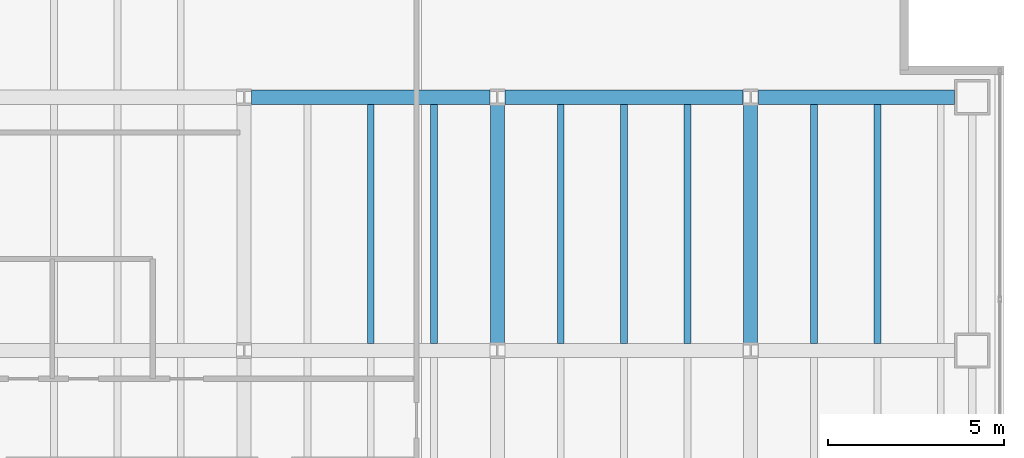
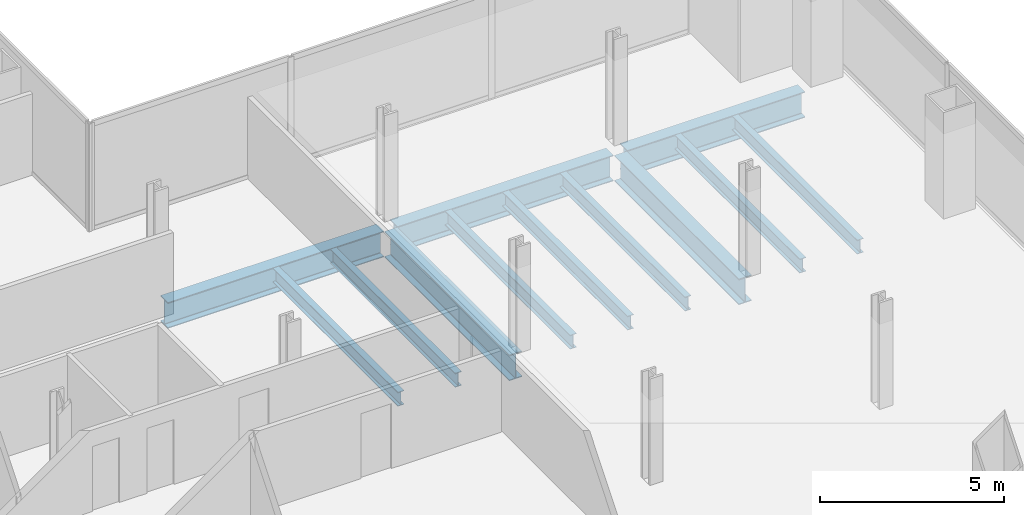
# One storey, part 11 of 25: 12 beams.
"""IFC4 building model written with IfcOpenShell, lengths in metres."""

from ifc_helpers import new_model, si_unit, direction, frame, origin, origin_2d, place, context, subcontext, project, spatial, i_section, extrude, material, material_profile, profile_set, type_object, element, save


model = new_model("IFC4")

# Units and contexts
model_context = context("Model", 3, precision=1e-05, world=origin(), true_north=direction((0.0, 1.0)))
body_context = subcontext(model_context, "Body", "Model", "MODEL_VIEW")
ifc_project = project(units=[si_unit("LENGTHUNIT", "METRE"), si_unit("AREAUNIT", "SQUARE_METRE"), si_unit("VOLUMEUNIT", "CUBIC_METRE"), si_unit("PLANEANGLEUNIT", "RADIAN"), si_unit("MASSUNIT", "GRAM", prefix="KILO")], contexts=[model_context])

# Site, building, storey
site_placement = place(None, origin())
site = spatial("IfcSite", under=ifc_project, at=site_placement, CompositionType="ELEMENT")
building_placement = place(site_placement, origin())
building = spatial("IfcBuilding", under=site, at=building_placement, Name="Cobrela Telecom Tower", CompositionType="ELEMENT")
storey_placement = place(building_placement, frame((0.0, 0.0, 61.949951171875)))
storey = spatial("IfcBuildingStorey", under=building, at=storey_placement, Name="L15", CompositionType="ELEMENT", Elevation=61.949951171875)

# Beams
ifc_material = material(Name="Steel ASTM A992 Grade 50", Category="steel")
ifc_material_profile_1 = material_profile(ifc_material, i_section(OverallWidth=0.39892578125, OverallDepth=0.85595703125, WebThickness=0.018310546875, FlangeThickness=0.029296875, FilletRadius=0.02001953125, at=origin_2d()), Name="W33X201")
ifc_profile_set_1 = profile_set([ifc_material_profile_1], Name="Steel ASTM A992 Grade 50")
beam_type_1 = type_object("IfcBeamType", Name="BM-GIRD-03", PredefinedType="USERDEFINED", material=ifc_profile_set_1)
for number, where, z_axis, x_axis, name in (
    (1, (29.01611328125, 21.60009765625, -0.7080078125), (1.0, 0.0, 0.0), (0.0, 1.0, 0.0), "L15 Primary Girder X20"),
    (2, (36.216064453125, 21.60009765625, -0.7080078125), (1.0, 0.0, 0.0), (0.0, 1.0, 0.0), "L15 Primary Girder X21"),
):
    element("IfcBeam", number, at=place(storey_placement, frame(where, z_axis=z_axis, x_axis=x_axis)), inside=storey, type_object=beam_type_1, Name=name, ObjectType="GIRDER", PredefinedType="USERDEFINED", context=body_context, shape_type="SweptSolid", body=[
        extrude(i_section(OverallWidth=0.39892578125, OverallDepth=0.85595703125, WebThickness=0.018310546875, FlangeThickness=0.029296875, FilletRadius=0.02001953125, at=origin_2d()), origin(), (0.0, 0.0, 1.0), 6.767822265625),
    ])
beam_placement = place(storey_placement, frame((43.416015625, 21.60009765625, -0.7080078125), z_axis=(1.0, 0.0, 0.0), x_axis=(0.0, 1.0, 0.0)))
element("IfcBeam", 3, at=beam_placement, inside=storey, type_object=beam_type_1, Name="L15 Primary Girder X22", ObjectType="GIRDER", PredefinedType="USERDEFINED", context=body_context, shape_type="SweptSolid", body=[
    extrude(i_section(OverallWidth=0.39892578125, OverallDepth=0.85595703125, WebThickness=0.018310546875, FlangeThickness=0.029296875, FilletRadius=0.02001953125, at=origin_2d()), origin(), (0.0, 0.0, 1.0), 5.5791015625),
])
for number, where, z_axis, x_axis, name in (
    (4, (36.0, 14.615966796875, -0.7080078125), (0.0, 1.0, 0.0), (-1.0, 0.0, 0.0), "L15 Primary Girder Y52"),
    (5, (43.199951171875, 14.615966796875, -0.7080078125), (0.0, 1.0, 0.0), (-1.0, 0.0, 0.0), "L15 Primary Girder Y55"),
):
    element("IfcBeam", number, at=place(storey_placement, frame(where, z_axis=z_axis, x_axis=x_axis)), inside=storey, type_object=beam_type_1, Name=name, ObjectType="GIRDER", PredefinedType="USERDEFINED", context=body_context, shape_type="SweptSolid", body=[
        extrude(i_section(OverallWidth=0.39892578125, OverallDepth=0.85595703125, WebThickness=0.018310546875, FlangeThickness=0.029296875, FilletRadius=0.02001953125, at=origin_2d()), origin(), (0.0, 0.0, 1.0), 6.76806640625),
    ])
ifc_material_profile_2 = material_profile(ifc_material, i_section(OverallWidth=0.193115234375, OverallDepth=0.467041015625, WebThickness=0.011474609375, FlangeThickness=0.01904296875, FilletRadius=0.012939453125, at=origin_2d()), Name="W18X65")
ifc_profile_set_2 = profile_set([ifc_material_profile_2], Name="Steel ASTM A992 Grade 50")
beam_type_2 = type_object("IfcBeamType", Name="BM-JOIST-03", PredefinedType="JOIST", material=ifc_profile_set_2)
for number, where, z_axis, x_axis, name in (
    (6, (32.39990234375, 14.6044921875, -0.513427734375), (0.0, 1.0, 0.0), (-1.0, 0.0, 0.0), "L15 Secondary Composite Floor Beam J46"),
    (7, (34.199951171875, 14.6044921875, -0.513427734375), (0.0, 1.0, 0.0), (-1.0, 0.0, 0.0), "L15 Secondary Composite Floor Beam J49"),
    (8, (37.800048828125, 14.6044921875, -0.513427734375), (0.0, 1.0, 0.0), (-1.0, 0.0, 0.0), "L15 Secondary Composite Floor Beam J52"),
    (9, (39.60009765625, 14.6044921875, -0.513427734375), (0.0, 1.0, 0.0), (-1.0, 0.0, 0.0), "L15 Secondary Composite Floor Beam J55"),
    (10, (41.39990234375, 14.6044921875, -0.513427734375), (0.0, 1.0, 0.0), (-1.0, 0.0, 0.0), "L15 Secondary Composite Floor Beam J58"),
    (11, (45.0, 14.6044921875, -0.513427734375), (0.0, 1.0, 0.0), (-1.0, 0.0, 0.0), "L15 Secondary Composite Floor Beam J60"),
    (12, (46.800048828125, 14.6044921875, -0.513427734375), (0.0, 1.0, 0.0), (-1.0, 0.0, 0.0), "L15 Secondary Composite Floor Beam J62"),
):
    element("IfcBeam", number, at=place(storey_placement, frame(where, z_axis=z_axis, x_axis=x_axis)), inside=storey, type_object=beam_type_2, Name=name, PredefinedType="JOIST", context=body_context, shape_type="SweptSolid", body=[
        extrude(i_section(OverallWidth=0.193115234375, OverallDepth=0.467041015625, WebThickness=0.011474609375, FlangeThickness=0.01904296875, FilletRadius=0.012939453125, at=origin_2d()), origin(), (0.0, 0.0, 1.0), 6.791015625),
    ])

save(model, "model.ifc")
